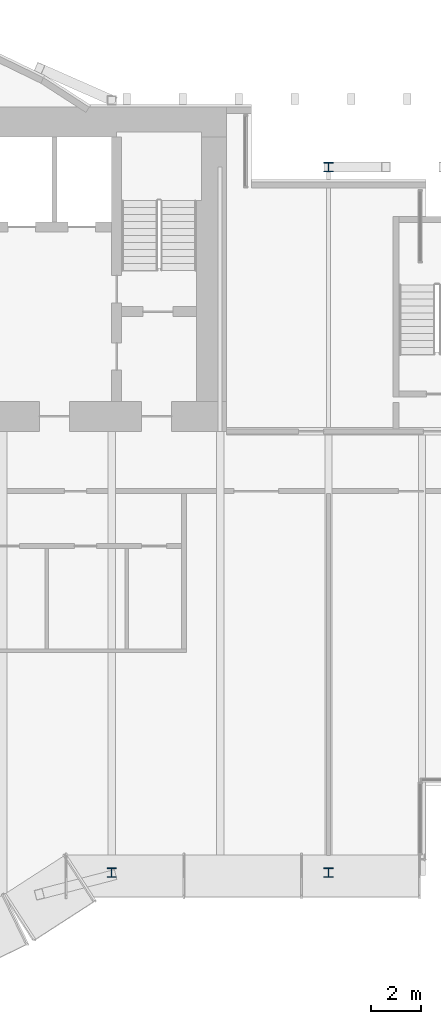
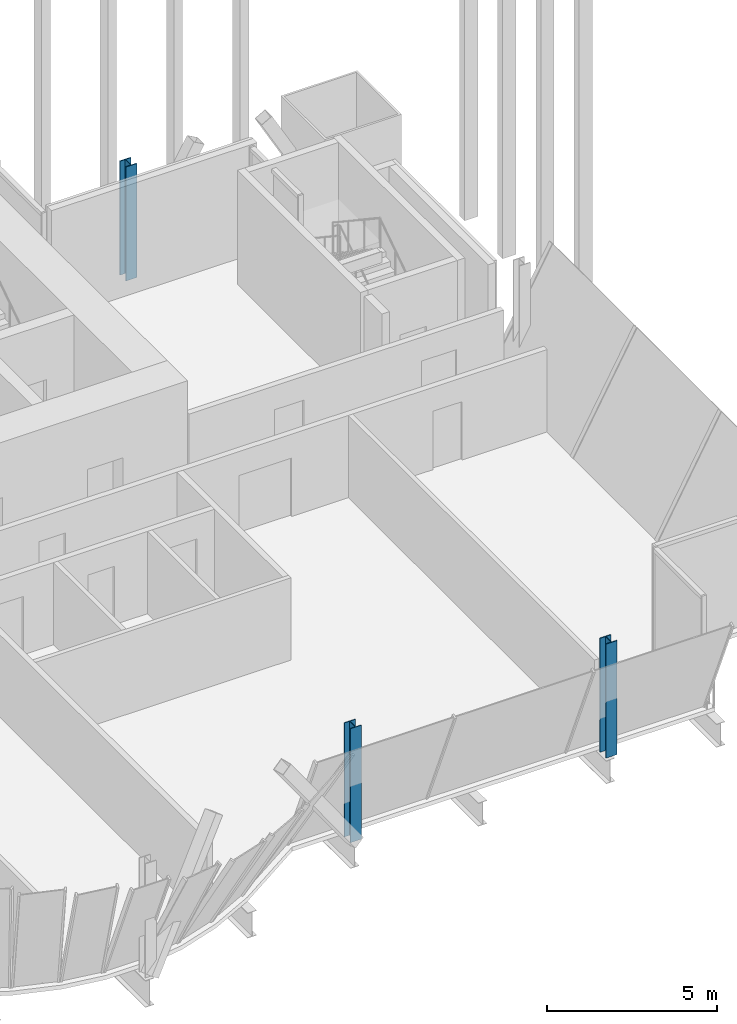
# One storey, part 2 of 29: 3 columns.
"""IFC4 building model written with IfcOpenShell, lengths in metres."""

from ifc_helpers import new_model, si_unit, direction, frame, origin, origin_2d, place, context, subcontext, project, spatial, i_section, extrude, material, material_profile, profile_set, type_object, element, save


model = new_model("IFC4")

# Units and contexts
model_context = context("Model", 3, precision=1e-05, world=origin(), true_north=direction((0.0, 1.0)))
body_context = subcontext(model_context, "Body", "Model", "MODEL_VIEW")
ifc_project = project(units=[si_unit("LENGTHUNIT", "METRE"), si_unit("AREAUNIT", "SQUARE_METRE"), si_unit("VOLUMEUNIT", "CUBIC_METRE"), si_unit("PLANEANGLEUNIT", "RADIAN"), si_unit("MASSUNIT", "GRAM", prefix="KILO")], contexts=[model_context])

# Site, building, storey
site_placement = place(None, origin())
site = spatial("IfcSite", under=ifc_project, at=site_placement, CompositionType="ELEMENT")
building_placement = place(site_placement, origin())
building = spatial("IfcBuilding", under=site, at=building_placement, Name="Bicima Exchange Tower", CompositionType="ELEMENT")
storey_placement = place(building_placement, frame((0.0, 0.0, 190.89990234375)))
storey = spatial("IfcBuildingStorey", under=building, at=storey_placement, Name="L42", CompositionType="ELEMENT", Elevation=190.89990234375)

# Columns
ifc_material = material(Name="Steel ASTM A992 Gr 50", Category="steel")
ifc_material_profile = material_profile(ifc_material, i_section(OverallWidth=0.373291015625, OverallDepth=0.373291015625, WebThickness=0.016357421875, FlangeThickness=0.026123046875, at=origin_2d()))
ifc_profile_set = profile_set([ifc_material_profile], Name="Steel ASTM A992 Gr 50")
column_type = type_object("IfcColumnType", Name="Perimeter column W14x132", PredefinedType="COLUMN", material=ifc_profile_set)
for number, where, z_axis, x_axis, name in (
    (1, (17.39990234375, -30.694091796875, 0.0), (0.0, 0.0, 1.0), (1.0, 0.0, 0.0), "Perimeter column grav+17.4f"),
    (2, (26.10009765625, -30.694091796875, 0.0), (0.0, 0.0, 1.0), (1.0, 0.0, 0.0), "Perimeter column grav+26.1f"),
    (3, (26.10009765625, -2.39990234375, 0.0), (0.0, 0.0, 1.0), (1.0, 0.0, 0.0), "Perimeter column grav+26.1r"),
):
    element("IfcColumn", number, at=place(storey_placement, frame(where, z_axis=z_axis, x_axis=x_axis)), inside=storey, type_object=column_type, Name=name, PredefinedType="COLUMN", context=body_context, shape_type="SweptSolid", body=[
        extrude(i_section(OverallWidth=0.373291015625, OverallDepth=0.373291015625, WebThickness=0.016357421875, FlangeThickness=0.026123046875, at=origin_2d()), origin(), (0.0, 0.0, 1.0), 4.10009765625),
    ])

save(model, "model.ifc")
